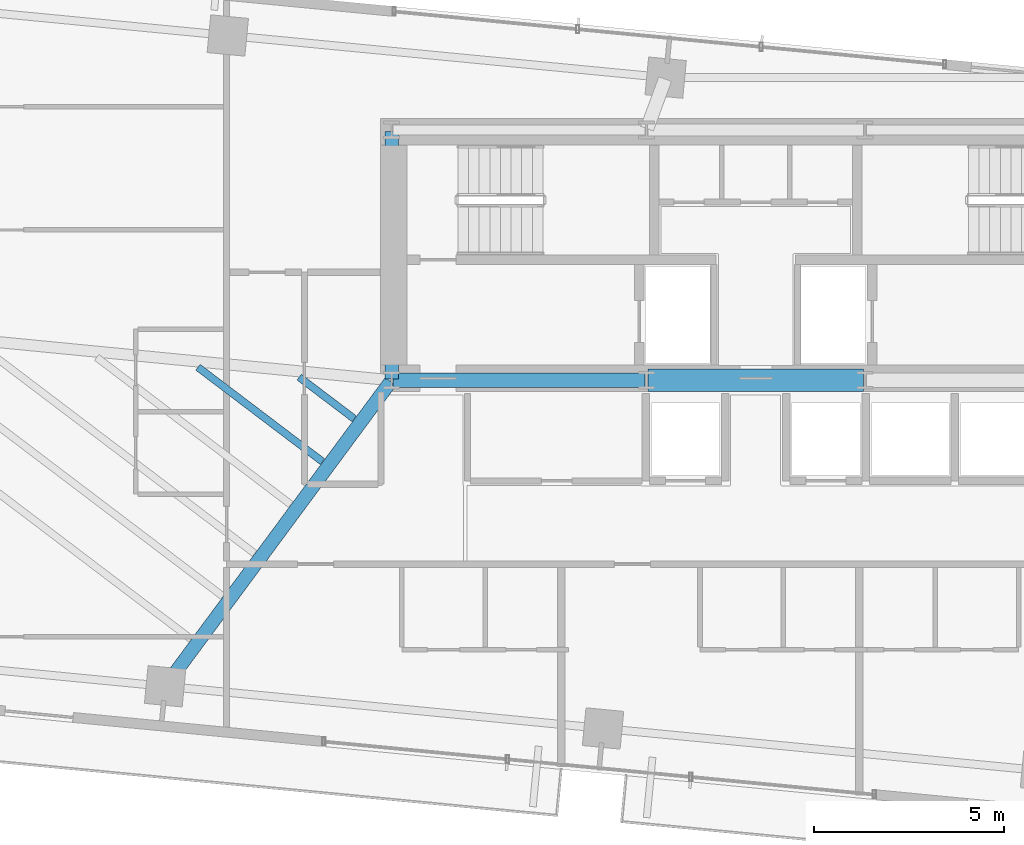
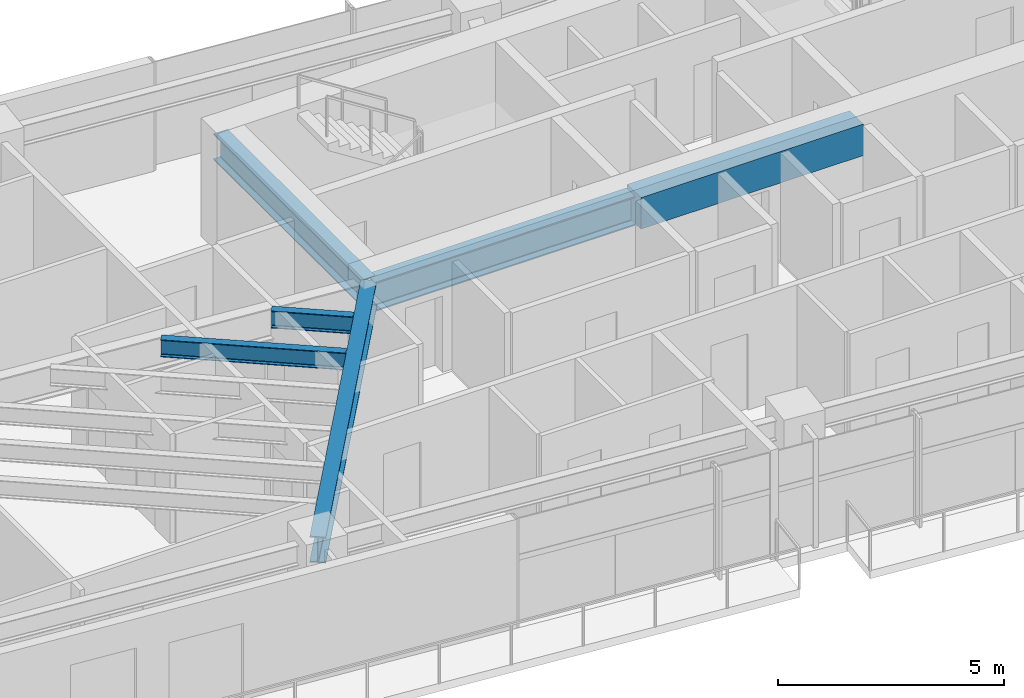
# One storey, part 5 of 19: 6 beams.
"""IFC4 building model written with IfcOpenShell, lengths in metres."""

from ifc_helpers import new_model, si_unit, direction, frame, origin, origin_2d, place, context, subcontext, project, spatial, rectangle, i_section, extrude, source, transform, mapped, material, material_profile, profile_set, type_object, type_shapes, element, save


model = new_model("IFC4")

# Units and contexts
model_context = context("Model", 3, precision=1e-05, world=origin(), true_north=direction((0.0, 1.0)))
body_context = subcontext(model_context, "Body", "Model", "MODEL_VIEW")
ifc_project = project(units=[si_unit("LENGTHUNIT", "METRE"), si_unit("AREAUNIT", "SQUARE_METRE"), si_unit("VOLUMEUNIT", "CUBIC_METRE"), si_unit("PLANEANGLEUNIT", "RADIAN"), si_unit("MASSUNIT", "GRAM", prefix="KILO")], contexts=[model_context])

# Site, building, storey
site_placement = place(None, origin())
site = spatial("IfcSite", under=ifc_project, at=site_placement, CompositionType="ELEMENT")
building_placement = place(site_placement, origin())
building = spatial("IfcBuilding", under=site, at=building_placement, Name="Astriad Promenade Condominiums", CompositionType="ELEMENT")
storey_placement = place(building_placement, frame((0.0, 0.0, 150.199951171875)))
storey = spatial("IfcBuildingStorey", under=building, at=storey_placement, Name="L43", CompositionType="ELEMENT", Elevation=150.199951171875)

# Beams
ifc_material_1 = material(Name="Steel ASTM A992 Grade 50", Category="steel")
ifc_material_profile_1 = material_profile(ifc_material_1, i_section(OverallWidth=0.3837890625, OverallDepth=0.785888671875, WebThickness=0.019775390625, FlangeThickness=0.033447265625, FilletRadius=0.021484375, at=origin_2d()), Name="W30X211")
ifc_profile_set_1 = profile_set([ifc_material_profile_1], Name="Steel ASTM A992 Grade 50")
beam_type_1 = type_object("IfcBeamType", Name="STEEL FLOOR GIRDER W30X211", PredefinedType="BEAM", material=ifc_profile_set_1)
shared_shape_1 = source(origin(), body_context, "Body", "SweptSolid", [
    extrude(i_section(OverallWidth=0.3837890625, OverallDepth=0.785888671875, WebThickness=0.019775390625, FlangeThickness=0.033447265625, FilletRadius=0.021484375, at=origin_2d()), origin(), (0.0, 0.0, 1.0), 6.64013671875),
])
type_shapes(beam_type_1, [shared_shape_1])
beam_1_placement = place(storey_placement, frame((26.43994140625, 17.39990234375, 2.547119140625), z_axis=(1.0, 0.0, 0.0), x_axis=(0.0, 1.0, 0.0)))
element("IfcBeam", 1, at=beam_1_placement, inside=storey, type_object=beam_type_1, Name="Core Ring Beam CG-S1-L43", PredefinedType="BEAM", context=body_context, shape_type="MappedRepresentation", body=[
    mapped(shared_shape_1, transform((0.0, 0.0, 0.0), scale=1.0)),
])
ifc_material_profile_2 = material_profile(ifc_material_1, i_section(OverallWidth=0.35791015625, OverallDepth=0.706298828125, WebThickness=0.018310546875, FlangeThickness=0.0302734375, FilletRadius=0.020263671875, at=origin_2d()), Name="W27X178")
ifc_profile_set_2 = profile_set([ifc_material_profile_2], Name="Steel ASTM A992 Grade 50")
beam_type_2 = type_object("IfcBeamType", Name="STEEL FLOOR GIRDER W27X178", PredefinedType="BEAM", material=ifc_profile_set_2)
shared_shape_2 = source(origin(), body_context, "Body", "SweptSolid", [
    extrude(i_section(OverallWidth=0.35791015625, OverallDepth=0.706298828125, WebThickness=0.018310546875, FlangeThickness=0.0302734375, FilletRadius=0.020263671875, at=origin_2d()), origin(), (0.0, 0.0, 1.0), 6.52001953125),
])
beam_2_placement = place(storey_placement, frame((26.39990234375, 17.43994140625, 2.5869140625), z_axis=(0.0, 1.0, 0.0), x_axis=(-1.0, 0.0, 0.0)))
element("IfcBeam", 2, at=beam_2_placement, inside=storey, type_object=beam_type_2, Name="Core Ring Beam CG-W1-L43", PredefinedType="BEAM", context=body_context, shape_type="MappedRepresentation", body=[
    mapped(shared_shape_2, transform((0.0, 0.0, 0.0), scale=1.0)),
])
shared_shape_3 = source(origin(), body_context, "Body", "SweptSolid", [
    extrude(i_section(OverallWidth=0.35791015625, OverallDepth=0.706298828125, WebThickness=0.018310546875, FlangeThickness=0.0302734375, FilletRadius=0.020263671875, at=origin_2d()), origin(), (0.0, 0.0, 1.0), 9.958984375),
])
type_shapes(beam_type_2, [shared_shape_2, shared_shape_3])
beam_3_placement = place(storey_placement, frame((20.450927734375, 9.363525390625, 2.5869140625), z_axis=(0.59497542442, 0.803743892255, 0.0), x_axis=(-0.803743892255, 0.59497542442, 0.0)))
element("IfcBeam", 3, at=beam_3_placement, inside=storey, type_object=beam_type_2, Name="Primary Floor Girder PG-W2-L43", PredefinedType="BEAM", context=body_context, shape_type="MappedRepresentation", body=[
    mapped(shared_shape_3, transform((0.0, 0.0, 0.0), scale=1.0)),
])
ifc_material_profile_3 = material_profile(ifc_material_1, i_section(OverallWidth=0.19287109375, OverallDepth=0.466064453125, WebThickness=0.011474609375, FlangeThickness=0.01904296875, FilletRadius=0.01513671875, at=origin_2d()), Name="W18X65")
ifc_profile_set_3 = profile_set([ifc_material_profile_3], Name="Steel ASTM A992 Grade 50")
beam_type_3 = type_object("IfcBeamType", Name="STEEL FLOOR JOIST W18X65", PredefinedType="JOIST", material=ifc_profile_set_3)
shared_shape_4 = source(origin(), body_context, "Body", "SweptSolid", [
    extrude(i_section(OverallWidth=0.19287109375, OverallDepth=0.466064453125, WebThickness=0.011474609375, FlangeThickness=0.01904296875, FilletRadius=0.01513671875, at=origin_2d()), origin(), (0.0, 0.0, 1.0), 4.12109375),
])
beam_4_placement = place(storey_placement, frame((21.292724609375, 17.744140625, 2.70703125), z_axis=(0.796968568798, -0.604020778077, 0.0), x_axis=(0.604020778077, 0.796968568798, 0.0)))
element("IfcBeam", 4, at=beam_4_placement, inside=storey, type_object=beam_type_3, Name="Secondary Composite Floor Joist JW1-5-L43", PredefinedType="JOIST", context=body_context, shape_type="MappedRepresentation", body=[
    mapped(shared_shape_4, transform((0.0, 0.0, 0.0), scale=1.0)),
])
shared_shape_5 = source(origin(), body_context, "Body", "SweptSolid", [
    extrude(i_section(OverallWidth=0.19287109375, OverallDepth=0.466064453125, WebThickness=0.011474609375, FlangeThickness=0.01904296875, FilletRadius=0.01513671875, at=origin_2d()), origin(), (0.0, 0.0, 1.0), 1.82177734375),
])
type_shapes(beam_type_3, [shared_shape_4, shared_shape_5])
beam_5_placement = place(storey_placement, frame((23.96142578125, 17.48486328125, 2.70703125), z_axis=(0.796982671853, -0.604002169504, 0.0), x_axis=(0.604002169504, 0.796982671853, 0.0)))
element("IfcBeam", 5, at=beam_5_placement, inside=storey, type_object=beam_type_3, Name="Secondary Composite Floor Joist JW1-6-L43", PredefinedType="JOIST", context=body_context, shape_type="MappedRepresentation", body=[
    mapped(shared_shape_5, transform((0.0, 0.0, 0.0), scale=1.0)),
])
ifc_material_2 = material(Name="Concrete C60/75", Category="concrete")
ifc_material_profile_4 = material_profile(ifc_material_2, rectangle(XDim=0.60009765625, YDim=0.85009765625, at=origin_2d()), Name="RC-BM-600X850")
ifc_profile_set_4 = profile_set([ifc_material_profile_4], Name="Concrete C60/75")
beam_type_4 = type_object("IfcBeamType", Name="CONCRETE CORE COUPLING LINTEL 600X850", PredefinedType="LINTEL", material=ifc_profile_set_4)
shared_shape_6 = source(origin(), body_context, "Body", "SweptSolid", [
    extrude(rectangle(XDim=0.60009765625, YDim=0.85009765625, at=origin_2d()), origin(), (0.0, 0.0, 1.0), 5.68017578125),
])
type_shapes(beam_type_4, [shared_shape_6])
beam_6_placement = place(storey_placement, frame((33.159912109375, 17.39990234375, 2.51513671875), z_axis=(1.0, 0.0, 0.0), x_axis=(0.0, 1.0, 0.0)))
element("IfcBeam", 6, at=beam_6_placement, inside=storey, type_object=beam_type_4, Name="Core Ring Beam CG-S2-L43", PredefinedType="LINTEL", context=body_context, shape_type="MappedRepresentation", body=[
    mapped(shared_shape_6, transform((0.0, 0.0, 0.0), scale=1.0)),
])

save(model, "model.ifc")
